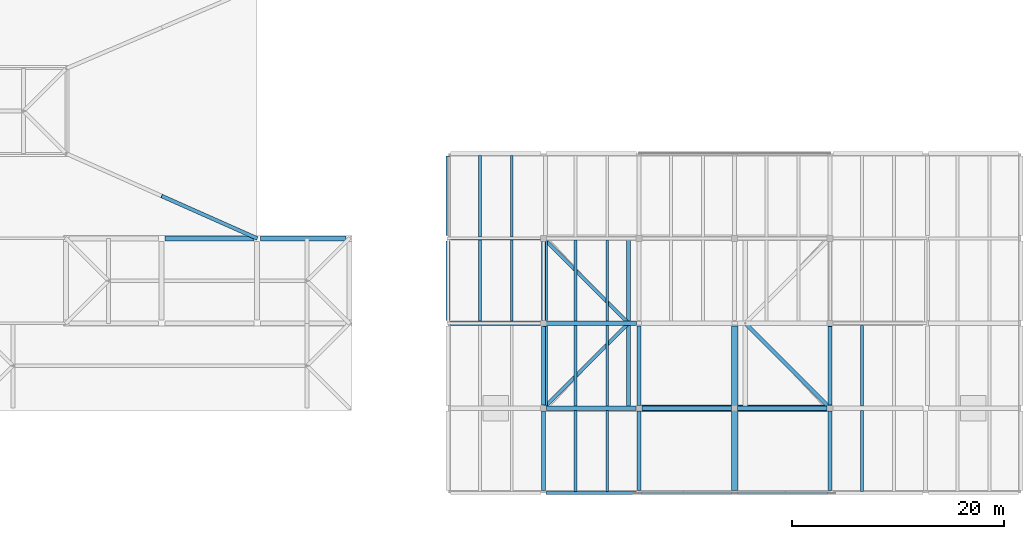
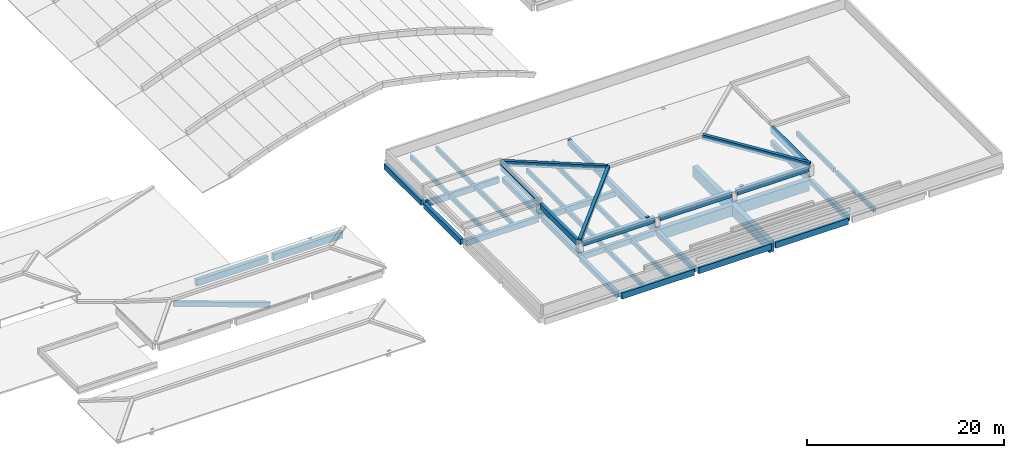
# One storey, part 24 of 56: 43 beams.
"""IFC4 building model written with IfcOpenShell, lengths in metres."""

from ifc_helpers import new_model, si_unit, direction, frame, origin, origin_2d, place, context, subcontext, project, spatial, rectangle, extrude, material, material_profile, profile_set, type_object, element, save


model = new_model("IFC4")

# Units and contexts
model_context = context("Model", 3, precision=1e-05, world=origin(), true_north=direction((0.0, 1.0)))
body_context = subcontext(model_context, "Body", "Model", "MODEL_VIEW")
ifc_project = project(units=[si_unit("LENGTHUNIT", "METRE"), si_unit("AREAUNIT", "SQUARE_METRE"), si_unit("VOLUMEUNIT", "CUBIC_METRE"), si_unit("PLANEANGLEUNIT", "RADIAN"), si_unit("MASSUNIT", "GRAM", prefix="KILO")], contexts=[model_context])

# Site, building, storey
site_placement = place(None, origin())
site = spatial("IfcSite", under=ifc_project, at=site_placement, CompositionType="ELEMENT")
building_placement = place(site_placement, origin())
building = spatial("IfcBuilding", under=site, at=building_placement, Name="Zacnel Wholesale Market", CompositionType="ELEMENT")
storey_placement = place(building_placement, frame((0.0, 0.0, 20.300048828125)))
storey = spatial("IfcBuildingStorey", under=building, at=storey_placement, Name="RF", CompositionType="ELEMENT", Elevation=20.300048828125)

# Beams
ifc_material_1 = material(Name="Concrete C40/50", Category="concrete")
ifc_material_profile_1 = material_profile(ifc_material_1, rectangle(XDim=0.35009765625, YDim=0.60009765625, at=origin_2d()), Name="ARCH RIB 350x600")
ifc_profile_set_1 = profile_set([ifc_material_profile_1], Name="Concrete C40/50")
beam_type_1 = type_object("IfcBeamType", Name="BM-AR600", PredefinedType="USERDEFINED", material=ifc_profile_set_1)
beam_1_placement = place(storey_placement, frame((135.0, 24.0, -6.75), z_axis=(-0.910585042662, 0.404704463405, 0.083959379341), x_axis=(-0.406138466053, -0.91381154862, 0.0)))
element("IfcBeam", 1, at=beam_1_placement, inside=storey, type_object=beam_type_1, Name="Auction pavilion hip rib 2-1", ObjectType="ARCH RIB", PredefinedType="USERDEFINED", context=body_context, shape_type="SweptSolid", body=[
    extrude(rectangle(XDim=0.35009765625, YDim=0.60009765625, at=origin_2d()), origin(), (0.0, 0.0, 1.0), 9.8837890625),
])
for number, where, z_axis, x_axis, name in (
    (2, (162.0, 8.0, 1.329833984375), (0.701368441486, 0.701368441486, 0.127140153272), (-0.707106781187, 0.707106781187, 0.0), "Hipped crown rib STR-ROOF-V5ZIG-1"),
    (3, (189.0, 8.0, 1.329833984375), (-0.701368441486, 0.701368441486, 0.127140153272), (-0.707106781187, -0.707106781187, 0.0), "Hipped crown rib STR-ROOF-V5ZIG-2"),
    (4, (162.0, 24.0, 1.329833984375), (0.701368441486, -0.701368441486, 0.127140153272), (0.707106781187, 0.707106781187, 0.0), "Hipped crown rib STR-ROOF-V5ZIG-4"),
):
    element("IfcBeam", number, at=place(storey_placement, frame(where, z_axis=z_axis, x_axis=x_axis)), inside=storey, type_object=beam_type_1, Name=name, ObjectType="ARCH RIB", PredefinedType="USERDEFINED", context=body_context, shape_type="SweptSolid", body=[
        extrude(rectangle(XDim=0.35009765625, YDim=0.60009765625, at=origin_2d()), origin(), (0.0, 0.0, 1.0), 11.40625),
    ])
ifc_material_2 = material(Name="Precast concrete C45/55", Category="concrete")
ifc_material_profile_2 = material_profile(ifc_material_2, rectangle(XDim=0.280029296875, YDim=0.550048828125, at=origin_2d()), Name="DT RIB 280x550")
ifc_profile_set_2 = profile_set([ifc_material_profile_2], Name="Precast concrete C45/55")
beam_type_2 = type_object("IfcBeamType", Name="BM-DT550", PredefinedType="JOIST", material=ifc_profile_set_2)
for number, where, z_axis, x_axis, name in (
    (5, (165.0, 0.14990234375, -0.574951171875), (0.0, 1.0, 0.0), (-1.0, 0.0, 0.0), "Precast secondary joist RF-0791"),
    (6, (168.0, 0.14990234375, -0.574951171875), (0.0, 1.0, 0.0), (-1.0, 0.0, 0.0), "Precast secondary joist RF-0792"),
    (7, (192.0, 0.14990234375, -0.574951171875), (0.0, 1.0, 0.0), (-1.0, 0.0, 0.0), "Precast secondary joist RF-0793"),
):
    element("IfcBeam", number, at=place(storey_placement, frame(where, z_axis=z_axis, x_axis=x_axis)), inside=storey, type_object=beam_type_2, Name=name, PredefinedType="JOIST", context=body_context, shape_type="SweptSolid", body=[
        extrude(rectangle(XDim=0.280029296875, YDim=0.550048828125, at=origin_2d()), origin(), (0.0, 0.0, 1.0), 7.650146484375),
    ])
for number, where, z_axis, x_axis, name in (
    (8, (165.0, 8.199951171875, -0.574951171875), (0.0, 1.0, 0.0), (-1.0, 0.0, 0.0), "Precast secondary joist RF-0799"),
    (9, (168.0, 8.199951171875, -0.574951171875), (0.0, 1.0, 0.0), (-1.0, 0.0, 0.0), "Precast secondary joist RF-0800"),
    (10, (192.0, 8.199951171875, -0.574951171875), (0.0, 1.0, 0.0), (-1.0, 0.0, 0.0), "Precast secondary joist RF-0801"),
):
    element("IfcBeam", number, at=place(storey_placement, frame(where, z_axis=z_axis, x_axis=x_axis)), inside=storey, type_object=beam_type_2, Name=name, PredefinedType="JOIST", context=body_context, shape_type="SweptSolid", body=[
        extrude(rectangle(XDim=0.280029296875, YDim=0.550048828125, at=origin_2d()), origin(), (0.0, 0.0, 1.0), 7.60009765625),
    ])
for number, where, z_axis, x_axis, name in (
    (11, (156.0, 16.199951171875, -0.574951171875), (0.0, 1.0, 0.0), (-1.0, 0.0, 0.0), "Precast secondary joist RF-0805"),
    (12, (159.0, 16.199951171875, -0.574951171875), (0.0, 1.0, 0.0), (-1.0, 0.0, 0.0), "Precast secondary joist RF-0806"),
    (13, (165.0, 16.199951171875, -0.574951171875), (0.0, 1.0, 0.0), (-1.0, 0.0, 0.0), "Precast secondary joist RF-0807"),
    (14, (168.0, 16.199951171875, -0.574951171875), (0.0, 1.0, 0.0), (-1.0, 0.0, 0.0), "Precast secondary joist RF-0808"),
    (15, (156.0, 24.14990234375, -0.574951171875), (0.0, 1.0, 0.0), (-1.0, 0.0, 0.0), "Precast secondary joist RF-0817"),
    (16, (159.0, 24.14990234375, -0.574951171875), (0.0, 1.0, 0.0), (-1.0, 0.0, 0.0), "Precast secondary joist RF-0818"),
):
    element("IfcBeam", number, at=place(storey_placement, frame(where, z_axis=z_axis, x_axis=x_axis)), inside=storey, type_object=beam_type_2, Name=name, PredefinedType="JOIST", context=body_context, shape_type="SweptSolid", body=[
        extrude(rectangle(XDim=0.280029296875, YDim=0.550048828125, at=origin_2d()), origin(), (0.0, 0.0, 1.0), 7.650146484375),
    ])
ifc_material_3 = material(Name="Precast concrete C45/55", Category="concrete")
ifc_material_profile_3 = material_profile(ifc_material_3, rectangle(XDim=0.60009765625, YDim=1.35009765625, at=origin_2d()), Name="PG 600x1350")
ifc_profile_set_3 = profile_set([ifc_material_profile_3], Name="Precast concrete C45/55")
beam_type_3 = type_object("IfcBeamType", Name="BM-PG1350", PredefinedType="T_BEAM", material=ifc_profile_set_3)
beam_2_placement = place(storey_placement, frame((171.25, 8.0, -0.97509765625), z_axis=(1.0, 0.0, 0.0), x_axis=(0.0, 1.0, 0.0)))
element("IfcBeam", 17, at=beam_2_placement, inside=storey, type_object=beam_type_3, Name="Precast girder X-1333", PredefinedType="T_BEAM", context=body_context, shape_type="SweptSolid", body=[
    extrude(rectangle(XDim=0.60009765625, YDim=1.35009765625, at=origin_2d()), origin(), (0.0, 0.0, 1.0), 17.5),
])
beam_3_placement = place(storey_placement, frame((180.0, 0.25, -0.97509765625), z_axis=(0.0, 1.0, 0.0), x_axis=(-1.0, 0.0, 0.0)))
element("IfcBeam", 18, at=beam_3_placement, inside=storey, type_object=beam_type_3, Name="Precast girder Y-1506", PredefinedType="T_BEAM", context=body_context, shape_type="SweptSolid", body=[
    extrude(rectangle(XDim=0.60009765625, YDim=1.35009765625, at=origin_2d()), origin(), (0.0, 0.0, 1.0), 15.5),
])
ifc_material_4 = material(Name="Precast concrete C45/55", Category="concrete")
ifc_material_profile_4 = material_profile(ifc_material_4, rectangle(XDim=0.39990234375, YDim=0.64990234375, at=origin_2d()), Name="PG 400x650")
ifc_profile_set_4 = profile_set([ifc_material_profile_4], Name="Precast concrete C45/55")
beam_type_4 = type_object("IfcBeamType", Name="BM-PG650", PredefinedType="BEAM", material=ifc_profile_set_4)
for number, where, z_axis, x_axis, name in (
    (19, (153.0, 16.25, -0.625), (0.0, 1.0, 0.0), (-1.0, 0.0, 0.0), "Precast girder Y-1496"),
    (20, (153.0, 24.25, -0.625), (0.0, 1.0, 0.0), (-1.0, 0.0, 0.0), "Precast girder Y-1497"),
    (21, (162.0, 0.25, -0.625), (0.0, 1.0, 0.0), (-1.0, 0.0, 0.0), "Precast girder Y-1498"),
    (22, (162.179931640625, 8.25, -0.625), (0.0, 1.0, 0.0), (-1.0, 0.0, 0.0), "Precast girder Y-1499"),
    (23, (162.179931640625, 16.25, -0.625), (0.0, 1.0, 0.0), (-1.0, 0.0, 0.0), "Precast girder Y-1500"),
    (24, (171.0, 0.25, -0.625), (0.0, 1.0, 0.0), (-1.0, 0.0, 0.0), "Precast girder Y-1502"),
    (25, (171.0, 8.25, -0.625), (0.0, 1.0, 0.0), (-1.0, 0.0, 0.0), "Precast girder Y-1503"),
    (26, (189.0, 0.25, -0.625), (0.0, 1.0, 0.0), (-1.0, 0.0, 0.0), "Precast girder Y-1514"),
    (27, (189.0, 8.25, -0.625), (0.0, 1.0, 0.0), (-1.0, 0.0, 0.0), "Precast girder Y-1515"),
):
    element("IfcBeam", number, at=place(storey_placement, frame(where, z_axis=z_axis, x_axis=x_axis)), inside=storey, type_object=beam_type_4, Name=name, PredefinedType="BEAM", context=body_context, shape_type="SweptSolid", body=[
        extrude(rectangle(XDim=0.39990234375, YDim=0.64990234375, at=origin_2d()), origin(), (0.0, 0.0, 1.0), 7.5),
    ])
ifc_material_5 = material(Name="Precast concrete C45/55", Category="concrete")
ifc_material_profile_5 = material_profile(ifc_material_5, rectangle(XDim=0.39990234375, YDim=0.699951171875, at=origin_2d()), Name="PG 400x700")
ifc_profile_set_5 = profile_set([ifc_material_profile_5], Name="Precast concrete C45/55")
beam_type_5 = type_object("IfcBeamType", Name="BM-PG700", PredefinedType="BEAM", material=ifc_profile_set_5)
for number, where, z_axis, x_axis, name in (
    (28, (162.25, 8.0, -0.650146484375), (1.0, 0.0, 0.0), (0.0, 1.0, 0.0), "Precast girder X-1332"),
    (29, (153.25, 16.0, -0.650146484375), (1.0, 0.0, 0.0), (0.0, 1.0, 0.0), "Precast girder X-1336"),
    (30, (162.25, 16.0, -0.650146484375), (1.0, 0.0, 0.0), (0.0, 1.0, 0.0), "Precast girder X-1337"),
):
    element("IfcBeam", number, at=place(storey_placement, frame(where, z_axis=z_axis, x_axis=x_axis)), inside=storey, type_object=beam_type_5, Name=name, PredefinedType="BEAM", context=body_context, shape_type="SweptSolid", body=[
        extrude(rectangle(XDim=0.39990234375, YDim=0.699951171875, at=origin_2d()), origin(), (0.0, 0.0, 1.0), 8.5),
    ])
for number, where, z_axis, x_axis, name in (
    (31, (162.280029296875, 8.0, 1.0), (1.0, 0.0, 0.0), (0.0, 1.0, 0.0), "Attic crown girder X V5ZIG-01"),
    (32, (171.280029296875, 8.0, 1.0), (1.0, 0.0, 0.0), (0.0, 1.0, 0.0), "Attic crown girder X V5ZIG-02"),
    (33, (180.280029296875, 8.0, 1.0), (1.0, 0.0, 0.0), (0.0, 1.0, 0.0), "Attic crown girder X V5ZIG-03"),
):
    element("IfcBeam", number, at=place(storey_placement, frame(where, z_axis=z_axis, x_axis=x_axis)), inside=storey, type_object=beam_type_5, Name=name, PredefinedType="BEAM", context=body_context, shape_type="SweptSolid", body=[
        extrude(rectangle(XDim=0.39990234375, YDim=0.699951171875, at=origin_2d()), origin(), (0.0, 0.0, 1.0), 8.43994140625),
    ])
for number, where, z_axis, x_axis, name in (
    (34, (162.0, 8.280029296875, 1.0), (0.0, 1.0, 0.0), (-1.0, 0.0, 0.0), "Attic crown girder Y V5ZIG-07"),
    (35, (162.0, 16.280029296875, 1.0), (0.0, 1.0, 0.0), (-1.0, 0.0, 0.0), "Attic crown girder Y V5ZIG-08"),
    (36, (189.0, 8.280029296875, 1.0), (0.0, 1.0, 0.0), (-1.0, 0.0, 0.0), "Attic crown girder Y V5ZIG-09"),
):
    element("IfcBeam", number, at=place(storey_placement, frame(where, z_axis=z_axis, x_axis=x_axis)), inside=storey, type_object=beam_type_5, Name=name, PredefinedType="BEAM", context=body_context, shape_type="SweptSolid", body=[
        extrude(rectangle(XDim=0.39990234375, YDim=0.699951171875, at=origin_2d()), origin(), (0.0, 0.0, 1.0), 7.43994140625),
    ])
beam_4_placement = place(storey_placement, frame((170.0, 8.0, 1.099853515625), z_axis=(0.0, 1.0, 0.0), x_axis=(-1.0, 0.0, 0.0)))
element("IfcBeam", 37, at=beam_4_placement, inside=storey, type_object=beam_type_5, Name="Hipped crown tie beam STR-ROOF-V5ZIG-1", PredefinedType="BEAM", context=body_context, shape_type="SweptSolid", body=[
    extrude(rectangle(XDim=0.39990234375, YDim=0.699951171875, at=origin_2d()), origin(), (0.0, 0.0, 1.0), 16.0),
])
ifc_material_6 = material(Name="Precast concrete C45/55", Category="concrete")
ifc_material_profile_6 = material_profile(ifc_material_6, rectangle(XDim=0.449951171875, YDim=0.800048828125, at=origin_2d()), Name="PG 450x800")
ifc_profile_set_6 = profile_set([ifc_material_profile_6], Name="Precast concrete C45/55")
beam_type_6 = type_object("IfcBeamType", Name="BM-PG800", PredefinedType="BEAM", material=ifc_profile_set_6)
beam_5_placement = place(storey_placement, frame((126.300048828125, 24.0, -1.0), z_axis=(1.0, 0.0, 0.0), x_axis=(0.0, 1.0, 0.0)))
element("IfcBeam", 38, at=beam_5_placement, inside=storey, type_object=beam_type_6, Name="Precast wing girder X V4EL4-005", PredefinedType="BEAM", context=body_context, shape_type="SweptSolid", body=[
    extrude(rectangle(XDim=0.449951171875, YDim=0.800048828125, at=origin_2d()), origin(), (0.0, 0.0, 1.0), 8.39990234375),
])
beam_6_placement = place(storey_placement, frame((135.300048828125, 24.0, -1.0), z_axis=(1.0, 0.0, 0.0), x_axis=(0.0, 1.0, 0.0)))
element("IfcBeam", 39, at=beam_6_placement, inside=storey, type_object=beam_type_6, Name="Precast wing girder X V4EL4-006", PredefinedType="BEAM", context=body_context, shape_type="SweptSolid", body=[
    extrude(rectangle(XDim=0.449951171875, YDim=0.800048828125, at=origin_2d()), origin(), (0.0, 0.0, 1.0), 8.099853515625),
])
ifc_material_7 = material(Name="Precast concrete C45/55", Category="concrete")
ifc_material_profile_7 = material_profile(ifc_material_7, rectangle(XDim=0.300048828125, YDim=0.75, at=origin_2d()), Name="SP 300x750")
ifc_profile_set_7 = profile_set([ifc_material_profile_7], Name="Precast concrete C45/55")
beam_type_7 = type_object("IfcBeamType", Name="BM-SP750", PredefinedType="SPANDREL", material=ifc_profile_set_7)
for number, where, z_axis, x_axis, name in (
    (40, (162.25, 0.0, -0.675048828125), (1.0, 0.0, 0.0), (0.0, 1.0, 0.0), "Precast girder X-1326"),
    (41, (171.25, 0.0, -0.675048828125), (1.0, 0.0, 0.0), (0.0, 1.0, 0.0), "Precast girder X-1327"),
    (42, (180.25, 0.0, -0.675048828125), (1.0, 0.0, 0.0), (0.0, 1.0, 0.0), "Precast girder X-1328"),
    (43, (153.25, 24.0, -0.675048828125), (1.0, 0.0, 0.0), (0.0, 1.0, 0.0), "Precast girder X-1342"),
):
    element("IfcBeam", number, at=place(storey_placement, frame(where, z_axis=z_axis, x_axis=x_axis)), inside=storey, type_object=beam_type_7, Name=name, PredefinedType="SPANDREL", context=body_context, shape_type="SweptSolid", body=[
        extrude(rectangle(XDim=0.300048828125, YDim=0.75, at=origin_2d()), origin(), (0.0, 0.0, 1.0), 8.5),
    ])

save(model, "model.ifc")
